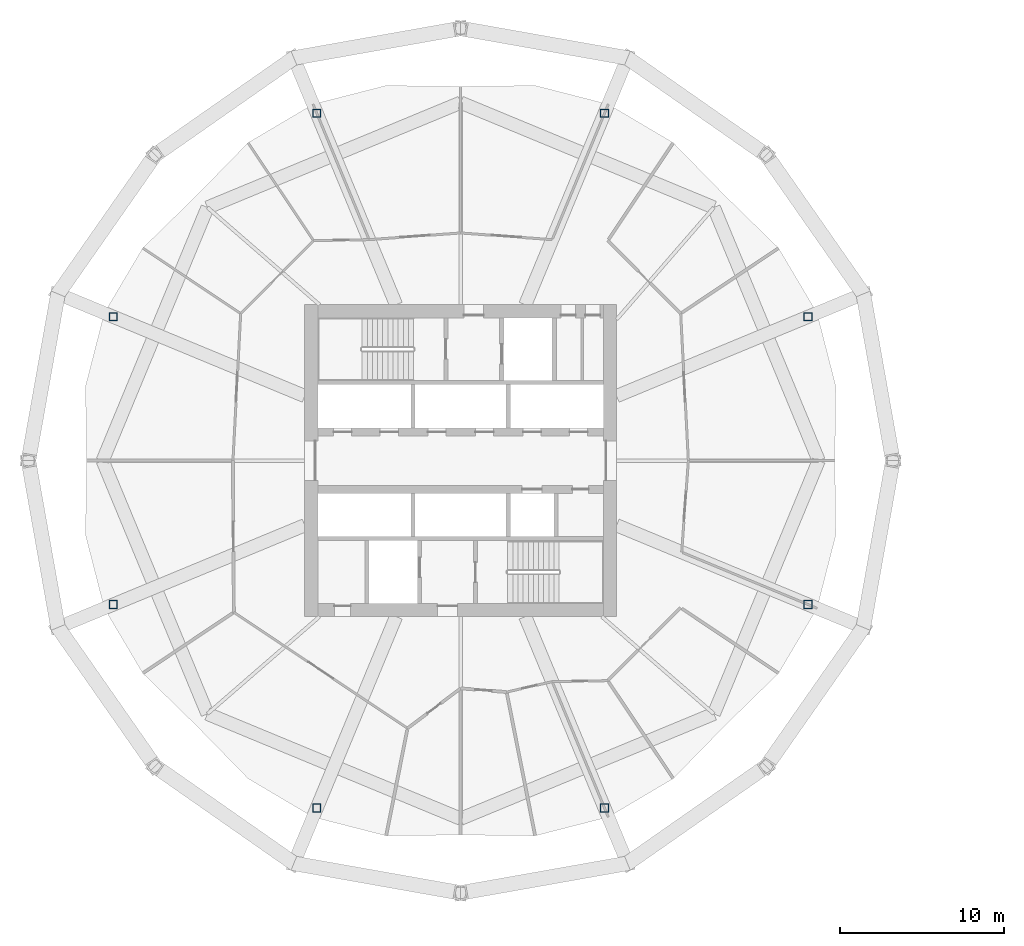
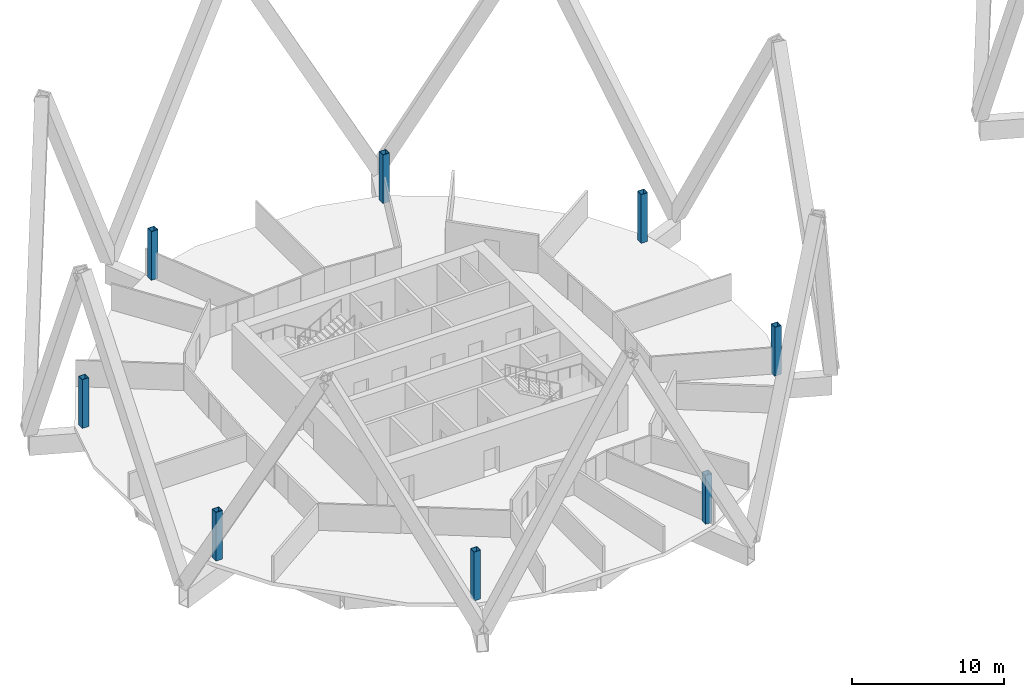
# One storey, part 1 of 9: 8 columns.
"""IFC4 building model written with IfcOpenShell, lengths in metres."""

from ifc_helpers import new_model, si_unit, direction, frame, origin, origin_2d, place, context, subcontext, project, spatial, hollow_rectangle, extrude, material, material_profile, profile_set, type_object, element, save


model = new_model("IFC4")

# Units and contexts
model_context = context("Model", 3, precision=1e-05, world=origin(), true_north=direction((0.0, 1.0)))
body_context = subcontext(model_context, "Body", "Model", "MODEL_VIEW")
ifc_project = project(units=[si_unit("LENGTHUNIT", "METRE"), si_unit("AREAUNIT", "SQUARE_METRE"), si_unit("VOLUMEUNIT", "CUBIC_METRE"), si_unit("PLANEANGLEUNIT", "RADIAN"), si_unit("MASSUNIT", "GRAM", prefix="KILO")], contexts=[model_context])

# Site, building, storey
site_placement = place(None, origin())
site = spatial("IfcSite", under=ifc_project, at=site_placement, CompositionType="ELEMENT")
building_placement = place(site_placement, origin())
building = spatial("IfcBuilding", under=site, at=building_placement, Name="Ogive Gate Towers", CompositionType="ELEMENT")
storey_placement = place(building_placement, frame((0.0, 0.0, 51.89990234375)))
storey = spatial("IfcBuildingStorey", under=building, at=storey_placement, Name="L11", CompositionType="ELEMENT", Elevation=51.89990234375)

# Columns
ifc_material = material(Name="Steel SM460", Category="steel")
ifc_material_profile = material_profile(ifc_material, hollow_rectangle(XDim=0.5, YDim=0.5, WallThickness=0.030029296875, at=origin_2d()), Name="BX 500x500x30")
ifc_profile_set = profile_set([ifc_material_profile], Name="Steel SM460")
column_type = type_object("IfcColumnType", Name="Perimeter post BX 500x500x30", PredefinedType="COLUMN", material=ifc_profile_set)
for number, where, z_axis, x_axis, name in (
    (1, (-14.84326171875, 8.763427734375, 0.0), (0.0, 0.0, 1.0), (1.0, 0.0, 0.0), "T1/L11/SCL001"),
    (2, (-27.236572265625, 21.15673828125, 0.0), (0.0, 0.0, 1.0), (1.0, 0.0, 0.0), "T1/L11/SCL002"),
    (3, (-44.763427734375, 21.15673828125, 0.0), (0.0, 0.0, 1.0), (1.0, 0.0, 0.0), "T1/L11/SCL003"),
    (4, (-57.15673828125, 8.763427734375, 0.0), (0.0, 0.0, 1.0), (1.0, 0.0, 0.0), "T1/L11/SCL004"),
    (5, (-57.15673828125, -8.763427734375, 0.0), (0.0, 0.0, 1.0), (1.0, 0.0, 0.0), "T1/L11/SCL005"),
    (6, (-44.763427734375, -21.15673828125, 0.0), (0.0, 0.0, 1.0), (1.0, 0.0, 0.0), "T1/L11/SCL006"),
    (7, (-27.236572265625, -21.15673828125, 0.0), (0.0, 0.0, 1.0), (1.0, 0.0, 0.0), "T1/L11/SCL007"),
    (8, (-14.84326171875, -8.763427734375, 0.0), (0.0, 0.0, 1.0), (1.0, 0.0, 0.0), "T1/L11/SCL008"),
):
    element("IfcColumn", number, at=place(storey_placement, frame(where, z_axis=z_axis, x_axis=x_axis)), inside=storey, type_object=column_type, Name=name, PredefinedType="COLUMN", context=body_context, shape_type="SweptSolid", body=[
        extrude(hollow_rectangle(XDim=0.5, YDim=0.5, WallThickness=0.030029296875, at=origin_2d()), origin(), (0.0, 0.0, 1.0), 3.900146484375),
    ])

save(model, "model.ifc")
